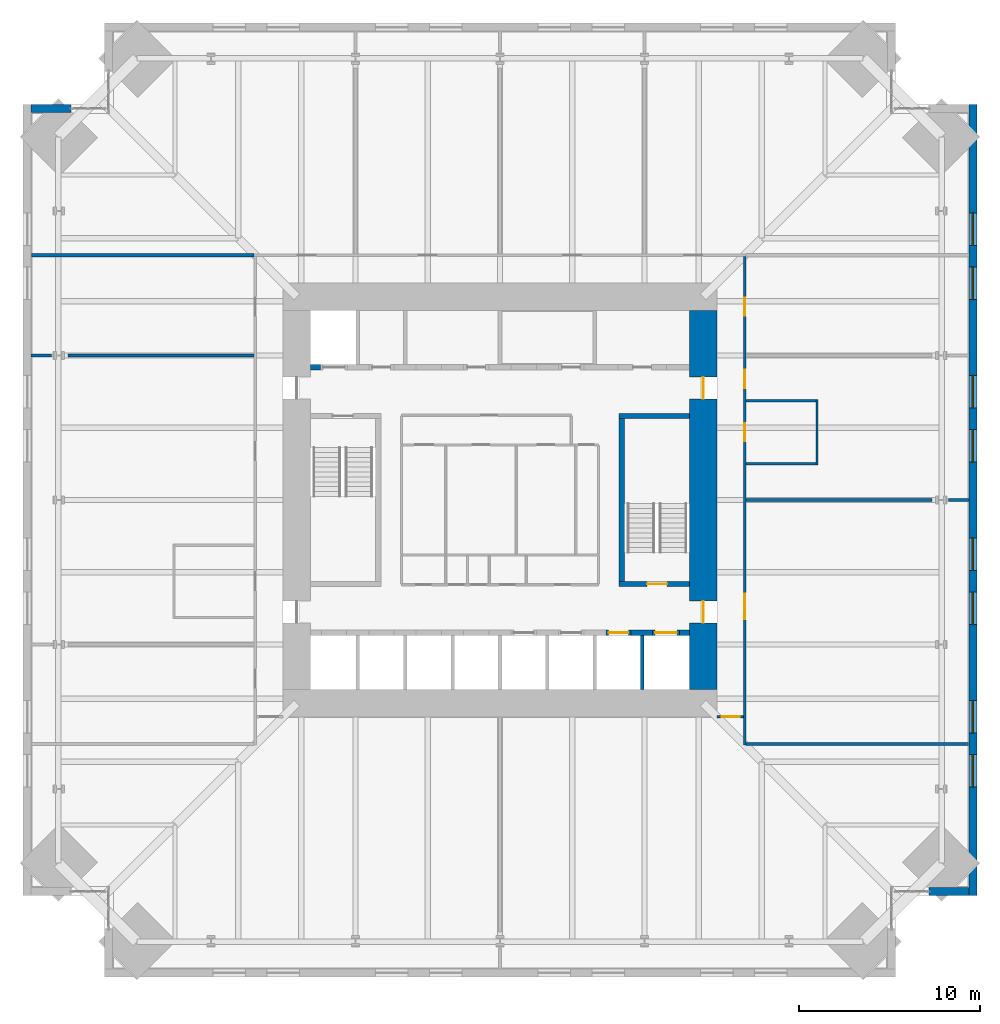
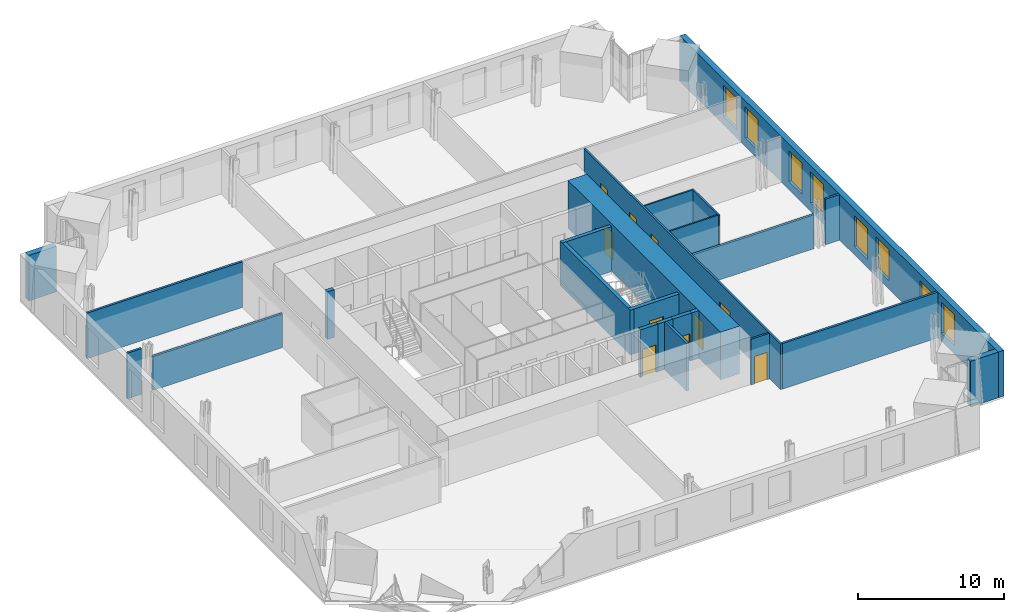
# One storey, part 15 of 18: 24 walls, 10 doors, 8 windows, 18 openings.
"""IFC4 building model written with IfcOpenShell, lengths in metres."""

from ifc_helpers import new_model, si_unit, direction, frame, frame_2d, origin, place, context, subcontext, project, spatial, rectangle, extrude, material, layer, layer_set, type_object, element, fill, save


model = new_model("IFC4")

# Units and contexts
model_context = context("Model", 3, precision=1e-05, world=origin(), true_north=direction((0.0, 1.0)))
body_context = subcontext(model_context, "Body", "Model", "MODEL_VIEW")
ifc_project = project(units=[si_unit("LENGTHUNIT", "METRE"), si_unit("AREAUNIT", "SQUARE_METRE"), si_unit("VOLUMEUNIT", "CUBIC_METRE"), si_unit("PLANEANGLEUNIT", "RADIAN"), si_unit("MASSUNIT", "GRAM", prefix="KILO")], contexts=[model_context])

# Site, building, storey
site_placement = place(None, origin())
site = spatial("IfcSite", under=ifc_project, at=site_placement, CompositionType="ELEMENT")
building_placement = place(site_placement, origin())
building = spatial("IfcBuilding", under=site, at=building_placement, Name="Peilmerk Tower", CompositionType="ELEMENT")
storey_placement = place(building_placement, frame((0.0, 0.0, 159.800048828125)))
storey = spatial("IfcBuildingStorey", under=building, at=storey_placement, Name="L33", CompositionType="ELEMENT", Elevation=159.800048828125)

# Wall, openings, windows
ifc_material_1 = material(Name="Precast concrete C45/55, board-marked finish", Category="concrete")
ifc_layer_1 = layer(ifc_material_1, 0.449951171875)
ifc_layer_set_1 = layer_set([ifc_layer_1], Name="Precast concrete C45/55, board-marked finish")
wall_type_1 = type_object("IfcWallType", Name="EW1 450 precast concrete facade wall, board-marked", PredefinedType="SOLIDWALL", material=ifc_layer_set_1)
wall_1_placement = place(storey_placement, frame((26.175048828125, -21.89990234375, 0.0), z_axis=(0.0, 0.0, 1.0), x_axis=(0.0, 1.0, 0.0)))
wall_1 = element("IfcWall", 1, at=wall_1_placement, inside=storey, type_object=wall_type_1, Name="Facade wall E L33", PredefinedType="SOLIDWALL", context=body_context, shape_type="SweptSolid", body=[
    extrude(rectangle(XDim=43.7998046875, YDim=0.449951171875, at=frame_2d((21.89990234375, 0.0))), origin(), (0.0, 0.0, 1.0), 3.829833984375),
])
opening_1_placement = place(wall_1_placement, frame((6.0, 0.0, 0.699951171875)))
opening_1 = element("IfcOpeningElement", 2, at=opening_1_placement, cuts=wall_1, Name="Opening W1", PredefinedType="OPENING", context=body_context, shape_type="SweptSolid", body=[
    extrude(rectangle(XDim=1.800048828125, YDim=2.60009765625, at=frame_2d((0.89990234375, 1.300048828125))), frame((0.0, 0.23486328125, 0.0), z_axis=(0.0, -1.0, 0.0), x_axis=(1.0, 0.0, 0.0)), (0.0, 0.0, 1.0), 0.469970703125),
])
opening_2_placement = place(wall_1_placement, frame((9.0, 0.0, 0.699951171875)))
opening_2 = element("IfcOpeningElement", 3, at=opening_2_placement, cuts=wall_1, Name="Opening W1", PredefinedType="OPENING", context=body_context, shape_type="SweptSolid", body=[
    extrude(rectangle(XDim=1.800048828125, YDim=2.60009765625, at=frame_2d((0.89990234375, 1.300048828125))), frame((0.0, 0.23486328125, 0.0), z_axis=(0.0, -1.0, 0.0), x_axis=(1.0, 0.0, 0.0)), (0.0, 0.0, 1.0), 0.469970703125),
])
opening_3_placement = place(wall_1_placement, frame((15.0, 0.0, 0.699951171875)))
opening_3 = element("IfcOpeningElement", 4, at=opening_3_placement, cuts=wall_1, Name="Opening W1", PredefinedType="OPENING", context=body_context, shape_type="SweptSolid", body=[
    extrude(rectangle(XDim=1.800048828125, YDim=2.60009765625, at=frame_2d((0.89990234375, 1.300048828125))), frame((0.0, 0.23486328125, 0.0), z_axis=(0.0, -1.0, 0.0), x_axis=(1.0, 0.0, 0.0)), (0.0, 0.0, 1.0), 0.469970703125),
])
opening_4_placement = place(wall_1_placement, frame((18.0, 0.0, 0.699951171875)))
opening_4 = element("IfcOpeningElement", 5, at=opening_4_placement, cuts=wall_1, Name="Opening W1", PredefinedType="OPENING", context=body_context, shape_type="SweptSolid", body=[
    extrude(rectangle(XDim=1.800048828125, YDim=2.60009765625, at=frame_2d((0.89990234375, 1.300048828125))), frame((0.0, 0.23486328125, 0.0), z_axis=(0.0, -1.0, 0.0), x_axis=(1.0, 0.0, 0.0)), (0.0, 0.0, 1.0), 0.469970703125),
])
opening_5_placement = place(wall_1_placement, frame((24.0, 0.0, 0.699951171875)))
opening_5 = element("IfcOpeningElement", 6, at=opening_5_placement, cuts=wall_1, Name="Opening W1", PredefinedType="OPENING", context=body_context, shape_type="SweptSolid", body=[
    extrude(rectangle(XDim=1.800048828125, YDim=2.60009765625, at=frame_2d((0.89990234375, 1.300048828125))), frame((0.0, 0.23486328125, 0.0), z_axis=(0.0, -1.0, 0.0), x_axis=(1.0, 0.0, 0.0)), (0.0, 0.0, 1.0), 0.469970703125),
])
opening_6_placement = place(wall_1_placement, frame((27.0, 0.0, 0.699951171875)))
opening_6 = element("IfcOpeningElement", 7, at=opening_6_placement, cuts=wall_1, Name="Opening W1", PredefinedType="OPENING", context=body_context, shape_type="SweptSolid", body=[
    extrude(rectangle(XDim=1.800048828125, YDim=2.60009765625, at=frame_2d((0.89990234375, 1.300048828125))), frame((0.0, 0.23486328125, 0.0), z_axis=(0.0, -1.0, 0.0), x_axis=(1.0, 0.0, 0.0)), (0.0, 0.0, 1.0), 0.469970703125),
])
opening_7_placement = place(wall_1_placement, frame((33.0, 0.0, 0.699951171875)))
opening_7 = element("IfcOpeningElement", 8, at=opening_7_placement, cuts=wall_1, Name="Opening W1", PredefinedType="OPENING", context=body_context, shape_type="SweptSolid", body=[
    extrude(rectangle(XDim=1.800048828125, YDim=2.60009765625, at=frame_2d((0.89990234375, 1.300048828125))), frame((0.0, 0.23486328125, 0.0), z_axis=(0.0, -1.0, 0.0), x_axis=(1.0, 0.0, 0.0)), (0.0, 0.0, 1.0), 0.469970703125),
])
opening_8_placement = place(wall_1_placement, frame((36.0, 0.0, 0.699951171875)))
opening_8 = element("IfcOpeningElement", 9, at=opening_8_placement, cuts=wall_1, Name="Opening W1", PredefinedType="OPENING", context=body_context, shape_type="SweptSolid", body=[
    extrude(rectangle(XDim=1.800048828125, YDim=2.60009765625, at=frame_2d((0.89990234375, 1.300048828125))), frame((0.0, 0.23486328125, 0.0), z_axis=(0.0, -1.0, 0.0), x_axis=(1.0, 0.0, 0.0)), (0.0, 0.0, 1.0), 0.469970703125),
])
ifc_material_2 = material(Name="Aluminium frame, clear double glazing", Category="aluminium")
window_type = type_object("IfcWindowType", Name="W1 1800x2600 office window", PartitioningType="SINGLE_PANEL", PredefinedType="WINDOW", material=ifc_material_2)
window_1_placement = place(opening_1_placement, origin())
window_1 = element("IfcWindow", 10, at=window_1_placement, inside=storey, type_object=window_type, Name="Window W1 L33", OverallHeight=2.60009765625, OverallWidth=1.800048828125, PartitioningType="SINGLE_PANEL", PredefinedType="WINDOW", context=body_context, shape_type="SweptSolid", body=[
    extrude(rectangle(XDim=1.800048828125, YDim=2.60009765625, at=frame_2d((0.89990234375, 1.300048828125))), frame((0.0, 0.030029296875, 0.0), z_axis=(0.0, -1.0, 0.0), x_axis=(1.0, 0.0, 0.0)), (0.0, 0.0, 1.0), 0.06005859375),
])
fill(opening_1, window_1)
window_2_placement = place(opening_2_placement, origin())
window_2 = element("IfcWindow", 11, at=window_2_placement, inside=storey, type_object=window_type, Name="Window W1 L33", OverallHeight=2.60009765625, OverallWidth=1.800048828125, PartitioningType="SINGLE_PANEL", PredefinedType="WINDOW", context=body_context, shape_type="SweptSolid", body=[
    extrude(rectangle(XDim=1.800048828125, YDim=2.60009765625, at=frame_2d((0.89990234375, 1.300048828125))), frame((0.0, 0.030029296875, 0.0), z_axis=(0.0, -1.0, 0.0), x_axis=(1.0, 0.0, 0.0)), (0.0, 0.0, 1.0), 0.06005859375),
])
fill(opening_2, window_2)
window_3_placement = place(opening_3_placement, origin())
window_3 = element("IfcWindow", 12, at=window_3_placement, inside=storey, type_object=window_type, Name="Window W1 L33", OverallHeight=2.60009765625, OverallWidth=1.800048828125, PartitioningType="SINGLE_PANEL", PredefinedType="WINDOW", context=body_context, shape_type="SweptSolid", body=[
    extrude(rectangle(XDim=1.800048828125, YDim=2.60009765625, at=frame_2d((0.89990234375, 1.300048828125))), frame((0.0, 0.030029296875, 0.0), z_axis=(0.0, -1.0, 0.0), x_axis=(1.0, 0.0, 0.0)), (0.0, 0.0, 1.0), 0.06005859375),
])
fill(opening_3, window_3)
window_4_placement = place(opening_4_placement, origin())
window_4 = element("IfcWindow", 13, at=window_4_placement, inside=storey, type_object=window_type, Name="Window W1 L33", OverallHeight=2.60009765625, OverallWidth=1.800048828125, PartitioningType="SINGLE_PANEL", PredefinedType="WINDOW", context=body_context, shape_type="SweptSolid", body=[
    extrude(rectangle(XDim=1.800048828125, YDim=2.60009765625, at=frame_2d((0.89990234375, 1.300048828125))), frame((0.0, 0.030029296875, 0.0), z_axis=(0.0, -1.0, 0.0), x_axis=(1.0, 0.0, 0.0)), (0.0, 0.0, 1.0), 0.06005859375),
])
fill(opening_4, window_4)
window_5_placement = place(opening_5_placement, origin())
window_5 = element("IfcWindow", 14, at=window_5_placement, inside=storey, type_object=window_type, Name="Window W1 L33", OverallHeight=2.60009765625, OverallWidth=1.800048828125, PartitioningType="SINGLE_PANEL", PredefinedType="WINDOW", context=body_context, shape_type="SweptSolid", body=[
    extrude(rectangle(XDim=1.800048828125, YDim=2.60009765625, at=frame_2d((0.89990234375, 1.300048828125))), frame((0.0, 0.030029296875, 0.0), z_axis=(0.0, -1.0, 0.0), x_axis=(1.0, 0.0, 0.0)), (0.0, 0.0, 1.0), 0.06005859375),
])
fill(opening_5, window_5)
window_6_placement = place(opening_6_placement, origin())
window_6 = element("IfcWindow", 15, at=window_6_placement, inside=storey, type_object=window_type, Name="Window W1 L33", OverallHeight=2.60009765625, OverallWidth=1.800048828125, PartitioningType="SINGLE_PANEL", PredefinedType="WINDOW", context=body_context, shape_type="SweptSolid", body=[
    extrude(rectangle(XDim=1.800048828125, YDim=2.60009765625, at=frame_2d((0.89990234375, 1.300048828125))), frame((0.0, 0.030029296875, 0.0), z_axis=(0.0, -1.0, 0.0), x_axis=(1.0, 0.0, 0.0)), (0.0, 0.0, 1.0), 0.06005859375),
])
fill(opening_6, window_6)
window_7_placement = place(opening_7_placement, origin())
window_7 = element("IfcWindow", 16, at=window_7_placement, inside=storey, type_object=window_type, Name="Window W1 L33", OverallHeight=2.60009765625, OverallWidth=1.800048828125, PartitioningType="SINGLE_PANEL", PredefinedType="WINDOW", context=body_context, shape_type="SweptSolid", body=[
    extrude(rectangle(XDim=1.800048828125, YDim=2.60009765625, at=frame_2d((0.89990234375, 1.300048828125))), frame((0.0, 0.030029296875, 0.0), z_axis=(0.0, -1.0, 0.0), x_axis=(1.0, 0.0, 0.0)), (0.0, 0.0, 1.0), 0.06005859375),
])
fill(opening_7, window_7)
window_8_placement = place(opening_8_placement, origin())
window_8 = element("IfcWindow", 17, at=window_8_placement, inside=storey, type_object=window_type, Name="Window W1 L33", OverallHeight=2.60009765625, OverallWidth=1.800048828125, PartitioningType="SINGLE_PANEL", PredefinedType="WINDOW", context=body_context, shape_type="SweptSolid", body=[
    extrude(rectangle(XDim=1.800048828125, YDim=2.60009765625, at=frame_2d((0.89990234375, 1.300048828125))), frame((0.0, 0.030029296875, 0.0), z_axis=(0.0, -1.0, 0.0), x_axis=(1.0, 0.0, 0.0)), (0.0, 0.0, 1.0), 0.06005859375),
])
fill(opening_8, window_8)

# Walls
for number, where, z_axis, x_axis, name in (
    (18, (23.753662109375, -21.675048828125, 0.0), (0.0, 0.0, 1.0), (1.0, 0.0, 0.0), "Facade wall SEB L33"),
    (19, (-23.753662109375, 21.675048828125, 0.0), (0.0, 0.0, 1.0), (-1.0, 0.0, 0.0), "Facade wall NWB L33"),
):
    element("IfcWall", number, at=place(storey_placement, frame(where, z_axis=z_axis, x_axis=x_axis)), inside=storey, type_object=wall_type_1, Name=name, PredefinedType="SOLIDWALL", context=body_context, shape_type="SweptSolid", body=[
        extrude(rectangle(XDim=2.1962890625, YDim=0.449951171875, at=frame_2d((1.09814453125, 0.0))), origin(), (0.0, 0.0, 1.0), 3.829833984375),
    ])

# Wall, openings, doors
ifc_material_3 = material(Name="Calcium silicate block", Category="masonry")
ifc_layer_2 = layer(ifc_material_3, 0.14990234375)
ifc_layer_set_2 = layer_set([ifc_layer_2], Name="Calcium silicate block")
wall_type_2 = type_object("IfcWallType", Name="IW1 150 corridor partition, EI 60", PredefinedType="PARTITIONING", material=ifc_layer_set_2)
wall_2_placement = place(storey_placement, frame((13.550048828125, -13.574951171875, 0.0), z_axis=(0.0, 0.0, 1.0), x_axis=(0.0, 1.0, 0.0)))
wall_2 = element("IfcWall", 20, at=wall_2_placement, inside=storey, type_object=wall_type_2, Name="Corridor wall E L33", PredefinedType="PARTITIONING", context=body_context, shape_type="SweptSolid", body=[
    extrude(rectangle(XDim=27.050048828125, YDim=0.14990234375, at=frame_2d((13.52490234375, 0.0))), origin(), (0.0, 0.0, 1.0), 3.829833984375),
])
opening_9_placement = place(wall_2_placement, frame((6.97509765625, 0.0, 0.0)))
opening_9 = element("IfcOpeningElement", 21, at=opening_9_placement, cuts=wall_2, Name="Opening D8", PredefinedType="OPENING", context=body_context, shape_type="SweptSolid", body=[
    extrude(rectangle(XDim=1.39990234375, YDim=2.300048828125, at=frame_2d((0.699951171875, 1.14990234375))), frame((0.0, 0.0849609375, 0.0), z_axis=(0.0, -1.0, 0.0), x_axis=(1.0, 0.0, 0.0)), (0.0, 0.0, 1.0), 0.169921875),
])
opening_10_placement = place(wall_2_placement, frame((19.77490234375, 0.0, 0.0)))
opening_10 = element("IfcOpeningElement", 22, at=opening_10_placement, cuts=wall_2, Name="Opening D1", PredefinedType="OPENING", context=body_context, shape_type="SweptSolid", body=[
    extrude(rectangle(XDim=1.0, YDim=2.300048828125, at=frame_2d((0.5, 1.14990234375))), frame((0.0, 0.0849609375, 0.0), z_axis=(0.0, -1.0, 0.0), x_axis=(1.0, 0.0, 0.0)), (0.0, 0.0, 1.0), 0.169921875),
])
opening_11_placement = place(wall_2_placement, frame((23.77490234375, 0.0, 0.0)))
opening_11 = element("IfcOpeningElement", 23, at=opening_11_placement, cuts=wall_2, Name="Opening D1", PredefinedType="OPENING", context=body_context, shape_type="SweptSolid", body=[
    extrude(rectangle(XDim=1.0, YDim=2.300048828125, at=frame_2d((0.5, 1.14990234375))), frame((0.0, 0.0849609375, 0.0), z_axis=(0.0, -1.0, 0.0), x_axis=(1.0, 0.0, 0.0)), (0.0, 0.0, 1.0), 0.169921875),
])
opening_12_placement = place(wall_2_placement, frame((16.824951171875, 0.0, 0.0)))
opening_12 = element("IfcOpeningElement", 24, at=opening_12_placement, cuts=wall_2, Name="Opening D1", PredefinedType="OPENING", context=body_context, shape_type="SweptSolid", body=[
    extrude(rectangle(XDim=1.0, YDim=2.300048828125, at=frame_2d((0.5, 1.14990234375))), frame((0.0, 0.0849609375, 0.0), z_axis=(0.0, -1.0, 0.0), x_axis=(1.0, 0.0, 0.0)), (0.0, 0.0, 1.0), 0.169921875),
])
ifc_material_4 = material(Name="Timber door in steel frame", Category="steel")
door_type_1 = type_object("IfcDoorType", Name="D1 1000x2300 room door, EI2 30", OperationType="SINGLE_SWING_LEFT", PredefinedType="DOOR", material=ifc_material_4)
door_1_placement = place(opening_10_placement, frame((1.0, 0.0, 0.0), z_axis=(0.0, 0.0, 1.0), x_axis=(-1.0, 0.0, 0.0)))
door_1 = element("IfcDoor", 25, at=door_1_placement, inside=storey, type_object=door_type_1, Name="Door Office L33", OperationType="SINGLE_SWING_LEFT", OverallHeight=2.300048828125, OverallWidth=1.0, PredefinedType="DOOR", context=body_context, shape_type="SweptSolid", body=[
    extrude(rectangle(XDim=1.0, YDim=2.300048828125, at=frame_2d((0.5, 1.14990234375))), frame((0.0, 0.02490234375, 0.0), z_axis=(0.0, -1.0, 0.0), x_axis=(1.0, 0.0, 0.0)), (0.0, 0.0, 1.0), 0.050048828125),
])
fill(opening_10, door_1)
door_2_placement = place(opening_11_placement, frame((1.0, 0.0, 0.0), z_axis=(0.0, 0.0, 1.0), x_axis=(-1.0, 0.0, 0.0)))
door_2 = element("IfcDoor", 26, at=door_2_placement, inside=storey, type_object=door_type_1, Name="Door Office L33", OperationType="SINGLE_SWING_LEFT", OverallHeight=2.300048828125, OverallWidth=1.0, PredefinedType="DOOR", context=body_context, shape_type="SweptSolid", body=[
    extrude(rectangle(XDim=1.0, YDim=2.300048828125, at=frame_2d((0.5, 1.14990234375))), frame((0.0, 0.02490234375, 0.0), z_axis=(0.0, -1.0, 0.0), x_axis=(1.0, 0.0, 0.0)), (0.0, 0.0, 1.0), 0.050048828125),
])
fill(opening_11, door_2)
door_3_placement = place(opening_12_placement, frame((1.0, 0.0, 0.0), z_axis=(0.0, 0.0, 1.0), x_axis=(-1.0, 0.0, 0.0)))
door_3 = element("IfcDoor", 27, at=door_3_placement, inside=storey, type_object=door_type_1, Name="Door Pantry L33", OperationType="SINGLE_SWING_LEFT", OverallHeight=2.300048828125, OverallWidth=1.0, PredefinedType="DOOR", context=body_context, shape_type="SweptSolid", body=[
    extrude(rectangle(XDim=1.0, YDim=2.300048828125, at=frame_2d((0.5, 1.14990234375))), frame((0.0, 0.02490234375, 0.0), z_axis=(0.0, -1.0, 0.0), x_axis=(1.0, 0.0, 0.0)), (0.0, 0.0, 1.0), 0.050048828125),
])
fill(opening_12, door_3)
door_type_2 = type_object("IfcDoorType", Name="D8 1400x2300 leaf-and-a-half door, EI2 30", OperationType="DOUBLE_DOOR_SINGLE_SWING", PredefinedType="DOOR", material=ifc_material_4)
door_4_placement = place(opening_9_placement, frame((1.39990234375, 0.0, 0.0), z_axis=(0.0, 0.0, 1.0), x_axis=(-1.0, 0.0, 0.0)))
door_4 = element("IfcDoor", 28, at=door_4_placement, inside=storey, type_object=door_type_2, Name="Door Library L33", OperationType="DOUBLE_DOOR_SINGLE_SWING", OverallHeight=2.300048828125, OverallWidth=1.39990234375, PredefinedType="DOOR", context=body_context, shape_type="SweptSolid", body=[
    extrude(rectangle(XDim=1.39990234375, YDim=2.300048828125, at=frame_2d((0.699951171875, 1.14990234375))), frame((0.0, 0.02490234375, 0.0), z_axis=(0.0, -1.0, 0.0), x_axis=(1.0, 0.0, 0.0)), (0.0, 0.0, 1.0), 0.050048828125),
])
fill(opening_9, door_4)

# Wall, opening, door
wall_3_placement = place(storey_placement, frame((13.47509765625, -12.0, 0.0), z_axis=(0.0, 0.0, 1.0), x_axis=(-1.0, 0.0, 0.0)))
wall_3 = element("IfcWall", 29, at=wall_3_placement, inside=storey, type_object=wall_type_2, Name="Corridor wall SE L33", PredefinedType="PARTITIONING", context=body_context, shape_type="SweptSolid", body=[
    extrude(rectangle(XDim=1.47509765625, YDim=0.14990234375, at=frame_2d((0.737548828125, 0.0))), origin(), (0.0, 0.0, 1.0), 3.829833984375),
])
opening_13_placement = place(wall_3_placement, frame((0.199951171875, 0.0, 0.0)))
opening_13 = element("IfcOpeningElement", 30, at=opening_13_placement, cuts=wall_3, Name="Opening D1", PredefinedType="OPENING", context=body_context, shape_type="SweptSolid", body=[
    extrude(rectangle(XDim=1.0, YDim=2.300048828125, at=frame_2d((0.5, 1.14990234375))), frame((0.0, 0.0849609375, 0.0), z_axis=(0.0, -1.0, 0.0), x_axis=(1.0, 0.0, 0.0)), (0.0, 0.0, 1.0), 0.169921875),
])
door_5_placement = place(opening_13_placement, origin())
door_5 = element("IfcDoor", 31, at=door_5_placement, inside=storey, type_object=door_type_1, Name="Door Office L33", OperationType="SINGLE_SWING_LEFT", OverallHeight=2.300048828125, OverallWidth=1.0, PredefinedType="DOOR", context=body_context, shape_type="SweptSolid", body=[
    extrude(rectangle(XDim=1.0, YDim=2.300048828125, at=frame_2d((0.5, 1.14990234375))), frame((0.0, 0.02490234375, 0.0), z_axis=(0.0, -1.0, 0.0), x_axis=(1.0, 0.0, 0.0)), (0.0, 0.0, 1.0), 0.050048828125),
])
fill(opening_13, door_5)

# Walls
ifc_material_5 = material(Name="Concrete C35/45", Category="concrete")
ifc_layer_3 = layer(ifc_material_5, 0.300048828125)
ifc_layer_set_3 = layer_set([ifc_layer_3], Name="Concrete C35/45")
wall_type_3 = type_object("IfcWallType", Name="IW3 300 concrete stair enclosure wall, EI 120", PredefinedType="SOLIDWALL", material=ifc_layer_set_3)
wall_4_placement = place(storey_placement, frame((6.75, -4.800048828125, 0.0), z_axis=(0.0, 0.0, 1.0), x_axis=(0.0, 1.0, 0.0)))
element("IfcWall", 32, at=wall_4_placement, inside=storey, type_object=wall_type_3, Name="Stair 2 enclosure L33", PredefinedType="SOLIDWALL", context=body_context, shape_type="SweptSolid", body=[
    extrude(rectangle(XDim=9.60009765625, YDim=0.300048828125, at=frame_2d((4.800048828125, 0.0))), origin(), (0.0, 0.0, 1.0), 3.75),
])
wall_5_placement = place(storey_placement, frame((6.60009765625, 4.64990234375, 0.0), z_axis=(0.0, 0.0, 1.0), x_axis=(1.0, 0.0, 0.0)))
element("IfcWall", 33, at=wall_5_placement, inside=storey, type_object=wall_type_3, Name="Stair 2 enclosure L33", PredefinedType="SOLIDWALL", context=body_context, shape_type="SweptSolid", body=[
    extrude(rectangle(XDim=3.89990234375, YDim=0.300048828125, at=frame_2d((1.949951171875, 0.0))), origin(), (0.0, 0.0, 1.0), 3.75),
])

# Wall, opening, door
wall_6_placement = place(storey_placement, frame((10.5, -4.64990234375, 0.0), z_axis=(0.0, 0.0, 1.0), x_axis=(-1.0, 0.0, 0.0)))
wall_6 = element("IfcWall", 34, at=wall_6_placement, inside=storey, type_object=wall_type_3, Name="Stair 2 enclosure L33", PredefinedType="SOLIDWALL", context=body_context, shape_type="SweptSolid", body=[
    extrude(rectangle(XDim=3.89990234375, YDim=0.300048828125, at=frame_2d((1.949951171875, 0.0))), origin(), (0.0, 0.0, 1.0), 3.75),
])
opening_14_placement = place(wall_6_placement, frame((1.25, 0.0, 0.0)))
opening_14 = element("IfcOpeningElement", 35, at=opening_14_placement, cuts=wall_6, Name="Opening D4", PredefinedType="OPENING", context=body_context, shape_type="SweptSolid", body=[
    extrude(rectangle(XDim=1.10009765625, YDim=2.300048828125, at=frame_2d((0.550048828125, 1.14990234375))), frame((0.0, 0.159912109375, 0.0), z_axis=(0.0, -1.0, 0.0), x_axis=(1.0, 0.0, 0.0)), (0.0, 0.0, 1.0), 0.320068359375),
])
ifc_material_6 = material(Name="Steel door in steel frame", Category="steel")
door_type_3 = type_object("IfcDoorType", Name="D4 1100x2300 stair door, EI2 60", OperationType="SINGLE_SWING_RIGHT", PredefinedType="DOOR", material=ifc_material_6)
door_6_placement = place(opening_14_placement, frame((1.10009765625, 0.0, 0.0), z_axis=(0.0, 0.0, 1.0), x_axis=(-1.0, 0.0, 0.0)))
door_6 = element("IfcDoor", 36, at=door_6_placement, inside=storey, type_object=door_type_3, Name="Stair 2 door L33", OperationType="SINGLE_SWING_RIGHT", OverallHeight=2.300048828125, OverallWidth=1.10009765625, PredefinedType="DOOR", context=body_context, shape_type="SweptSolid", body=[
    extrude(rectangle(XDim=1.10009765625, YDim=2.300048828125, at=frame_2d((0.550048828125, 1.14990234375))), frame((0.0, 0.02490234375, 0.0), z_axis=(0.0, -1.0, 0.0), x_axis=(1.0, 0.0, 0.0)), (0.0, 0.0, 1.0), 0.050048828125),
])
fill(opening_14, door_6)

# Walls
ifc_material_7 = material(Name="Plasterboard on steel studs, double boarded with mineral wool", Category="steel")
ifc_layer_4 = layer(ifc_material_7, 0.125)
ifc_layer_set_4 = layer_set([ifc_layer_4], Name="Plasterboard on steel studs, double boarded with mineral wool")
wall_type_4 = type_object("IfcWallType", Name="IW7 125 acoustic partition, EI 30", PredefinedType="PARTITIONING", material=ifc_layer_set_4)
wall_7_placement = place(storey_placement, frame((17.550048828125, 1.9375, 0.0), z_axis=(0.0, 0.0, 1.0), x_axis=(0.0, 1.0, 0.0)))
element("IfcWall", 37, at=wall_7_placement, inside=storey, type_object=wall_type_4, Name="Acoustic partition Pantry L33", PredefinedType="PARTITIONING", context=body_context, shape_type="SweptSolid", body=[
    extrude(rectangle(XDim=3.625, YDim=0.125, at=frame_2d((1.8125, 0.0))), origin(), (0.0, 0.0, 1.0), 3.829833984375),
])
for number, where, z_axis, x_axis, name in (
    (38, (13.625, 2.0, 0.0), (0.0, 0.0, 1.0), (1.0, 0.0, 0.0), "Acoustic partition Pantry L33"),
    (39, (13.625, 5.5, 0.0), (0.0, 0.0, 1.0), (1.0, 0.0, 0.0), "Acoustic partition Pantry L33"),
):
    element("IfcWall", number, at=place(storey_placement, frame(where, z_axis=z_axis, x_axis=x_axis)), inside=storey, type_object=wall_type_4, Name=name, PredefinedType="PARTITIONING", context=body_context, shape_type="SweptSolid", body=[
        extrude(rectangle(XDim=3.862548828125, YDim=0.125, at=frame_2d((1.93115234375, 0.0))), origin(), (0.0, 0.0, 1.0), 3.829833984375),
    ])
ifc_layer_5 = layer(ifc_material_3, 0.175048828125)
ifc_layer_set_5 = layer_set([ifc_layer_5], Name="Calcium silicate block")
wall_type_5 = type_object("IfcWallType", Name="IW8 175 tenant separating wall, EI 60", PredefinedType="PARTITIONING", material=ifc_layer_set_5)
for number, where, z_axis, x_axis, name in (
    (40, (-25.949951171875, 13.550048828125, 0.0), (0.0, 0.0, 1.0), (1.0, 0.0, 0.0), "Tenant separating wall NW L33"),
    (41, (25.949951171875, -13.5, 0.0), (0.0, 0.0, 1.0), (-1.0, 0.0, 0.0), "Tenant separating wall SE L33"),
):
    element("IfcWall", number, at=place(storey_placement, frame(where, z_axis=z_axis, x_axis=x_axis)), inside=storey, type_object=wall_type_5, Name=name, PredefinedType="PARTITIONING", context=body_context, shape_type="SweptSolid", body=[
        extrude(rectangle(XDim=12.324951171875, YDim=0.175048828125, at=frame_2d((6.16259765625, 0.0))), origin(), (0.0, 0.0, 1.0), 3.829833984375),
    ])
wall_8_placement = place(storey_placement, frame((13.625, 0.0, 0.0), z_axis=(0.0, 0.0, 1.0), x_axis=(1.0, 0.0, 0.0)))
element("IfcWall", 42, at=wall_8_placement, inside=storey, type_object=wall_type_5, Name="Tenant separating wall E1 L33", PredefinedType="PARTITIONING", context=body_context, shape_type="SweptSolid", body=[
    extrude(rectangle(XDim=10.302978515625, YDim=0.175048828125, at=frame_2d((5.1513671875, 0.0))), origin(), (0.0, 0.0, 1.0), 2.83984375),
])
wall_9_placement = place(storey_placement, frame((24.817138671875, 0.0, 0.0), z_axis=(0.0, 0.0, 1.0), x_axis=(1.0, 0.0, 0.0)))
element("IfcWall", 43, at=wall_9_placement, inside=storey, type_object=wall_type_5, Name="Tenant separating wall E1b L33", PredefinedType="PARTITIONING", context=body_context, shape_type="SweptSolid", body=[
    extrude(rectangle(XDim=1.1328125, YDim=0.175048828125, at=frame_2d((0.56640625, 0.0))), origin(), (0.0, 0.0, 1.0), 3.829833984375),
])
wall_10_placement = place(storey_placement, frame((-13.625, 8.0, 0.0), z_axis=(0.0, 0.0, 1.0), x_axis=(-1.0, 0.0, 0.0)))
element("IfcWall", 44, at=wall_10_placement, inside=storey, type_object=wall_type_5, Name="Tenant separating wall W2 L33", PredefinedType="PARTITIONING", context=body_context, shape_type="SweptSolid", body=[
    extrude(rectangle(XDim=10.302978515625, YDim=0.175048828125, at=frame_2d((5.1513671875, 0.0))), origin(), (0.0, 0.0, 1.0), 2.83984375),
])
wall_11_placement = place(storey_placement, frame((-24.817138671875, 8.0, 0.0), z_axis=(0.0, 0.0, 1.0), x_axis=(-1.0, 0.0, 0.0)))
element("IfcWall", 45, at=wall_11_placement, inside=storey, type_object=wall_type_5, Name="Tenant separating wall W2b L33", PredefinedType="PARTITIONING", context=body_context, shape_type="SweptSolid", body=[
    extrude(rectangle(XDim=1.1328125, YDim=0.175048828125, at=frame_2d((0.56640625, 0.0))), origin(), (0.0, 0.0, 1.0), 3.829833984375),
])
ifc_layer_6 = layer(ifc_material_3, 0.199951171875)
ifc_layer_set_6 = layer_set([ifc_layer_6], Name="Calcium silicate block")
wall_type_6 = type_object("IfcWallType", Name="SH1 200 shaft dividing wall, EI 120", PredefinedType="PARTITIONING", material=ifc_layer_set_6)
wall_12_placement = place(storey_placement, frame((7.875, -10.5, 0.0), z_axis=(0.0, 0.0, 1.0), x_axis=(0.0, 1.0, 0.0)))
element("IfcWall", 46, at=wall_12_placement, inside=storey, type_object=wall_type_6, Name="Shaft wall S B1 L33", PredefinedType="PARTITIONING", context=body_context, shape_type="SweptSolid", body=[
    extrude(rectangle(XDim=3.0, YDim=0.199951171875, at=frame_2d((1.5, 0.0))), origin(), (0.0, 0.0, 1.0), 4.0),
])

# Wall, opening, door
ifc_layer_7 = layer(ifc_material_3, 0.300048828125)
ifc_layer_set_7 = layer_set([ifc_layer_7], Name="Calcium silicate block")
wall_type_7 = type_object("IfcWallType", Name="SH2 300 lift landing door panel, EI 120", PredefinedType="PARTITIONING", material=ifc_layer_set_7)
wall_13_placement = place(storey_placement, frame((5.862548828125, -7.35009765625, 0.0), z_axis=(0.0, 0.0, 1.0), x_axis=(1.0, 0.0, 0.0)))
wall_13 = element("IfcWall", 47, at=wall_13_placement, inside=storey, type_object=wall_type_7, Name="Lift door panel S B1 L33", PredefinedType="PARTITIONING", context=body_context, shape_type="SweptSolid", body=[
    extrude(rectangle(XDim=1.39990234375, YDim=0.300048828125, at=frame_2d((0.699951171875, 0.0))), origin(), (0.0, 0.0, 1.0), 4.0),
])
opening_15_placement = place(wall_13_placement, frame((0.14990234375, 0.0, 0.0)))
opening_15 = element("IfcOpeningElement", 48, at=opening_15_placement, cuts=wall_13, Name="Opening LD1", PredefinedType="OPENING", context=body_context, shape_type="SweptSolid", body=[
    extrude(rectangle(XDim=1.10009765625, YDim=2.300048828125, at=frame_2d((0.550048828125, 1.14990234375))), frame((0.0, 0.159912109375, 0.0), z_axis=(0.0, -1.0, 0.0), x_axis=(1.0, 0.0, 0.0)), (0.0, 0.0, 1.0), 0.320068359375),
])
ifc_material_8 = material(Name="Stainless steel landing door", Category="steel")
door_type_4 = type_object("IfcDoorType", Name="LD1 1100x2300 lift landing door, sliding, EI2 60", OperationType="SLIDING_TO_LEFT", PredefinedType="DOOR", material=ifc_material_8)
door_7_placement = place(opening_15_placement, origin())
door_7 = element("IfcDoor", 49, at=door_7_placement, inside=storey, type_object=door_type_4, Name="Lift landing door B1 L33", OperationType="SLIDING_TO_LEFT", OverallHeight=2.300048828125, OverallWidth=1.10009765625, PredefinedType="DOOR", context=body_context, shape_type="SweptSolid", body=[
    extrude(rectangle(XDim=1.10009765625, YDim=2.300048828125, at=frame_2d((0.550048828125, 1.14990234375))), frame((0.0, 0.02490234375, 0.0), z_axis=(0.0, -1.0, 0.0), x_axis=(1.0, 0.0, 0.0)), (0.0, 0.0, 1.0), 0.050048828125),
])
fill(opening_15, door_7)

wall_14_placement = place(storey_placement, frame((8.4375, -7.35009765625, 0.0), z_axis=(0.0, 0.0, 1.0), x_axis=(1.0, 0.0, 0.0)))
wall_14 = element("IfcWall", 50, at=wall_14_placement, inside=storey, type_object=wall_type_7, Name="Lift door panel S FL2 L33", PredefinedType="PARTITIONING", context=body_context, shape_type="SweptSolid", body=[
    extrude(rectangle(XDim=1.5, YDim=0.300048828125, at=frame_2d((0.75, 0.0))), origin(), (0.0, 0.0, 1.0), 4.0),
])
opening_16_placement = place(wall_14_placement, frame((0.14990234375, 0.0, 0.0)))
opening_16 = element("IfcOpeningElement", 51, at=opening_16_placement, cuts=wall_14, Name="Opening LD2", PredefinedType="OPENING", context=body_context, shape_type="SweptSolid", body=[
    extrude(rectangle(XDim=1.199951171875, YDim=2.300048828125, at=frame_2d((0.60009765625, 1.14990234375))), frame((0.0, 0.159912109375, 0.0), z_axis=(0.0, -1.0, 0.0), x_axis=(1.0, 0.0, 0.0)), (0.0, 0.0, 1.0), 0.320068359375),
])
door_type_5 = type_object("IfcDoorType", Name="LD2 1200x2300 lift landing door, sliding, EI2 60", OperationType="SLIDING_TO_LEFT", PredefinedType="DOOR", material=ifc_material_8)
door_8_placement = place(opening_16_placement, origin())
door_8 = element("IfcDoor", 52, at=door_8_placement, inside=storey, type_object=door_type_5, Name="Lift landing door FL2 L33", OperationType="SLIDING_TO_LEFT", OverallHeight=2.300048828125, OverallWidth=1.199951171875, PredefinedType="DOOR", context=body_context, shape_type="SweptSolid", body=[
    extrude(rectangle(XDim=1.199951171875, YDim=2.300048828125, at=frame_2d((0.60009765625, 1.14990234375))), frame((0.0, 0.02490234375, 0.0), z_axis=(0.0, -1.0, 0.0), x_axis=(1.0, 0.0, 0.0)), (0.0, 0.0, 1.0), 0.050048828125),
])
fill(opening_16, door_8)

# Wall, openings, doors
ifc_material_9 = material(Name="Concrete C55/67", Category="concrete")
ifc_layer_8 = layer(ifc_material_9, 1.5)
ifc_layer_set_8 = layer_set([ifc_layer_8], Name="Concrete C55/67")
wall_type_8 = type_object("IfcWallType", Name="SW1 1500 core wall", PredefinedType="SHEAR", material=ifc_layer_set_8)
wall_15_placement = place(storey_placement, frame((11.25, 10.5, 0.0), z_axis=(0.0, 0.0, 1.0), x_axis=(0.0, -1.0, 0.0)))
wall_15 = element("IfcWall", 53, at=wall_15_placement, inside=storey, type_object=wall_type_8, Name="Core wall E L33", PredefinedType="SHEAR", context=body_context, shape_type="SweptSolid", body=[
    extrude(rectangle(XDim=21.0, YDim=1.5, at=frame_2d((10.5, 0.0))), origin(), (0.0, 0.0, 1.0), 4.0),
])
opening_17_placement = place(wall_15_placement, frame((3.699951171875, 0.0, 0.0)))
opening_17 = element("IfcOpeningElement", 54, at=opening_17_placement, cuts=wall_15, Name="Opening D3", PredefinedType="OPENING", context=body_context, shape_type="SweptSolid", body=[
    extrude(rectangle(XDim=1.199951171875, YDim=2.300048828125, at=frame_2d((0.60009765625, 1.14990234375))), frame((0.0, 0.760009765625, 0.0), z_axis=(0.0, -1.0, 0.0), x_axis=(1.0, 0.0, 0.0)), (0.0, 0.0, 1.0), 1.52001953125),
])
opening_18_placement = place(wall_15_placement, frame((16.10009765625, 0.0, 0.0)))
opening_18 = element("IfcOpeningElement", 55, at=opening_18_placement, cuts=wall_15, Name="Opening D3", PredefinedType="OPENING", context=body_context, shape_type="SweptSolid", body=[
    extrude(rectangle(XDim=1.199951171875, YDim=2.300048828125, at=frame_2d((0.60009765625, 1.14990234375))), frame((0.0, 0.760009765625, 0.0), z_axis=(0.0, -1.0, 0.0), x_axis=(1.0, 0.0, 0.0)), (0.0, 0.0, 1.0), 1.52001953125),
])
door_type_6 = type_object("IfcDoorType", Name="D3 1200x2300 core door, EI2 60", OperationType="SINGLE_SWING_LEFT", PredefinedType="DOOR", material=ifc_material_6)
door_9_placement = place(opening_17_placement, frame((1.199951171875, 0.0, 0.0), z_axis=(0.0, 0.0, 1.0), x_axis=(-1.0, 0.0, 0.0)))
door_9 = element("IfcDoor", 56, at=door_9_placement, inside=storey, type_object=door_type_6, Name="Core door L33", OperationType="SINGLE_SWING_LEFT", OverallHeight=2.300048828125, OverallWidth=1.199951171875, PredefinedType="DOOR", context=body_context, shape_type="SweptSolid", body=[
    extrude(rectangle(XDim=1.199951171875, YDim=2.300048828125, at=frame_2d((0.60009765625, 1.14990234375))), frame((0.0, 0.02490234375, 0.0), z_axis=(0.0, -1.0, 0.0), x_axis=(1.0, 0.0, 0.0)), (0.0, 0.0, 1.0), 0.050048828125),
])
fill(opening_17, door_9)
door_10_placement = place(opening_18_placement, frame((1.199951171875, 0.0, 0.0), z_axis=(0.0, 0.0, 1.0), x_axis=(-1.0, 0.0, 0.0)))
door_10 = element("IfcDoor", 57, at=door_10_placement, inside=storey, type_object=door_type_6, Name="Core door L33", OperationType="SINGLE_SWING_LEFT", OverallHeight=2.300048828125, OverallWidth=1.199951171875, PredefinedType="DOOR", context=body_context, shape_type="SweptSolid", body=[
    extrude(rectangle(XDim=1.199951171875, YDim=2.300048828125, at=frame_2d((0.60009765625, 1.14990234375))), frame((0.0, 0.02490234375, 0.0), z_axis=(0.0, -1.0, 0.0), x_axis=(1.0, 0.0, 0.0)), (0.0, 0.0, 1.0), 0.050048828125),
])
fill(opening_18, door_10)

# Walls
ifc_layer_9 = layer(ifc_material_9, 0.300048828125)
ifc_layer_set_9 = layer_set([ifc_layer_9], Name="Concrete C55/67")
wall_type_9 = type_object("IfcWallType", Name="SW2 300 lift bank pier", PredefinedType="SHEAR", material=ifc_layer_set_9)
wall_16_placement = place(storey_placement, frame((-10.5, 7.35009765625, 0.0), z_axis=(0.0, 0.0, 1.0), x_axis=(1.0, 0.0, 0.0)))
element("IfcWall", 58, at=wall_16_placement, inside=storey, type_object=wall_type_9, Name="Lift bank pier N L33", PredefinedType="SHEAR", context=body_context, shape_type="SweptSolid", body=[
    extrude(rectangle(XDim=0.5625, YDim=0.300048828125, at=frame_2d((0.28125, 0.0))), origin(), (0.0, 0.0, 1.0), 4.0),
])
wall_17_placement = place(storey_placement, frame((7.262451171875, -7.35009765625, 0.0), z_axis=(0.0, 0.0, 1.0), x_axis=(1.0, 0.0, 0.0)))
element("IfcWall", 59, at=wall_17_placement, inside=storey, type_object=wall_type_9, Name="Lift bank pier S L33", PredefinedType="SHEAR", context=body_context, shape_type="SweptSolid", body=[
    extrude(rectangle(XDim=1.175048828125, YDim=0.300048828125, at=frame_2d((0.58740234375, 0.0))), origin(), (0.0, 0.0, 1.0), 4.0),
])
wall_18_placement = place(storey_placement, frame((9.9375, -7.35009765625, 0.0), z_axis=(0.0, 0.0, 1.0), x_axis=(1.0, 0.0, 0.0)))
element("IfcWall", 60, at=wall_18_placement, inside=storey, type_object=wall_type_9, Name="Lift bank pier S L33", PredefinedType="SHEAR", context=body_context, shape_type="SweptSolid", body=[
    extrude(rectangle(XDim=0.5625, YDim=0.300048828125, at=frame_2d((0.28125, 0.0))), origin(), (0.0, 0.0, 1.0), 4.0),
])

save(model, "model.ifc")
